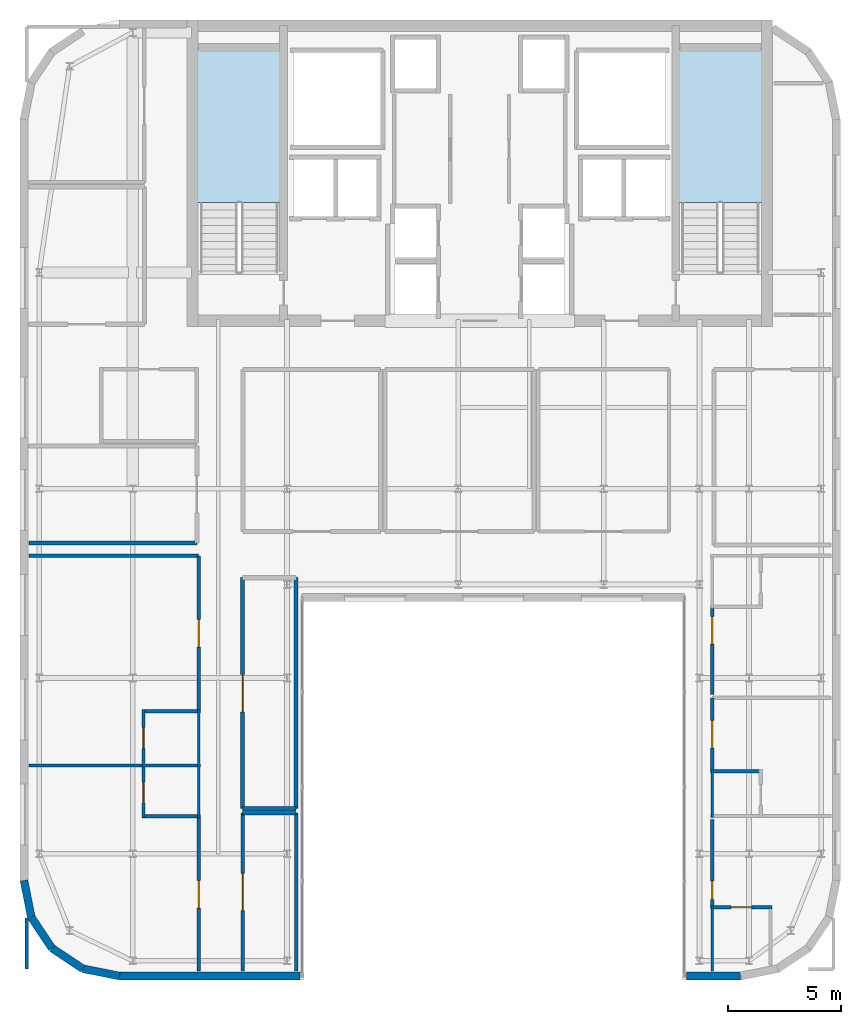
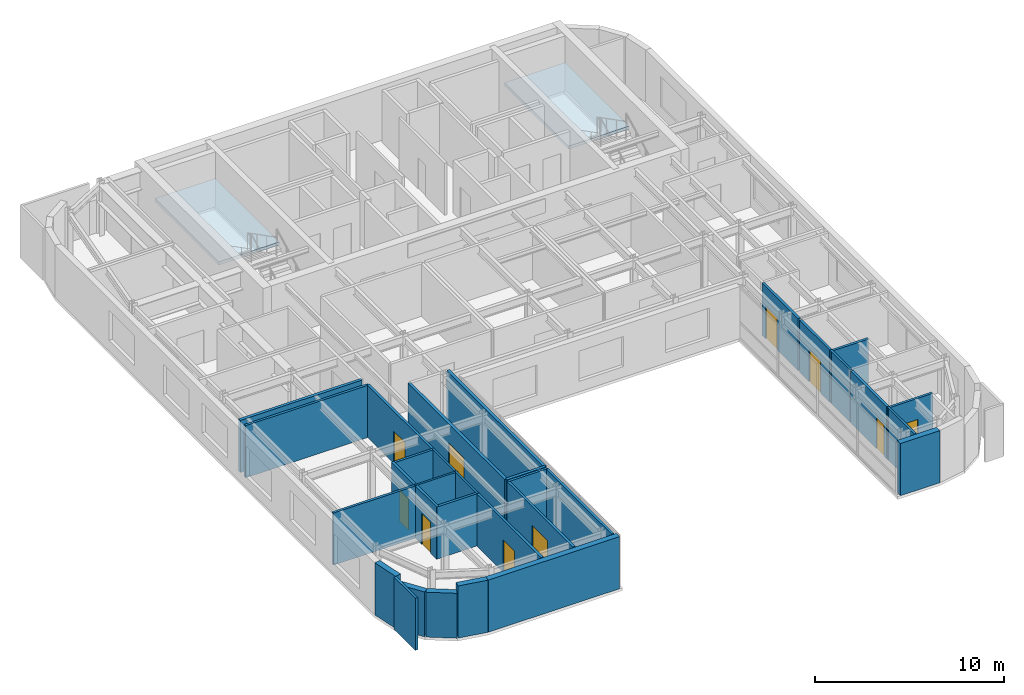
# One storey, part 13 of 18: 32 walls, 10 doors, 2 slabs, 10 openings, 2 elements without a shape of their own.
"""IFC4 building model written with IfcOpenShell, lengths in metres."""

from ifc_helpers import new_model, si_unit, direction, frame, frame_2d, origin, place, context, subcontext, project, spatial, polyline, rectangle, outline, extrude, source, transform, mapped, material, layer, layer_set, type_object, type_shapes, element, fill, aggregate, save


model = new_model("IFC4")

# Units and contexts
model_context = context("Model", 3, precision=1e-05, world=origin(), true_north=direction((0.0, 1.0)))
body_context = subcontext(model_context, "Body", "Model", "MODEL_VIEW")
ifc_project = project(units=[si_unit("LENGTHUNIT", "METRE"), si_unit("AREAUNIT", "SQUARE_METRE"), si_unit("VOLUMEUNIT", "CUBIC_METRE"), si_unit("PLANEANGLEUNIT", "RADIAN"), si_unit("MASSUNIT", "GRAM", prefix="KILO")], contexts=[model_context])

# Site, building, storey
site_placement = place(None, origin())
site = spatial("IfcSite", under=ifc_project, at=site_placement, CompositionType="ELEMENT")
building_placement = place(site_placement, origin())
building = spatial("IfcBuilding", under=site, at=building_placement, Name="Tolvann Quenvar Hotel", CompositionType="ELEMENT")
storey_placement = place(building_placement, frame((0.0, 0.0, 259.39990234375)))
storey = spatial("IfcBuildingStorey", under=building, at=storey_placement, Name="L69", CompositionType="ELEMENT", Elevation=259.39990234375)

# Stair, slab
ifc_material_1 = material(Name="Concrete N40 (40 MPa)", Category="concrete")
stair_type = type_object("IfcStairType", Name="STAIR", PredefinedType="HALF_TURN_STAIR", material=ifc_material_1)
stair_1_placement = place(storey_placement, origin())
stair_1 = element("IfcStair", 1, at=stair_1_placement, inside=storey, type_object=stair_type, Name="L69 ST-C1", PredefinedType="HALF_TURN_STAIR")
ifc_layer_1 = layer(ifc_material_1, 0.199951171875)
ifc_layer_set_1 = layer_set([ifc_layer_1], Name="Concrete N40 (40 MPa)")
slab_type = type_object("IfcSlabType", Name="SLAB_LANDING", PredefinedType="LANDING", material=ifc_layer_set_1)
slab_1_placement = place(storey_placement, frame((0.0, 0.0, 1.5751953125)))
slab_1 = element("IfcSlab", 2, at=slab_1_placement, type_object=slab_type, Name="ST-C1 landing 1", PredefinedType="LANDING", context=body_context, shape_type="SweptSolid", body=[
    extrude(outline(polyline([(14.179931640625, 37.10498046875), (14.179931640625, 43.8798828125), (10.469970703125, 43.8798828125), (10.469970703125, 37.10498046875), (14.179931640625, 37.10498046875)])), origin(), (0.0, 0.0, 1.0), 0.199951171875),
])
aggregate(stair_1, [slab_1])

stair_2_placement = place(storey_placement, origin())
stair_2 = element("IfcStair", 3, at=stair_2_placement, inside=storey, type_object=stair_type, Name="L69 ST-C2", PredefinedType="HALF_TURN_STAIR")
slab_2_placement = place(storey_placement, frame((0.0, 0.0, 1.5751953125)))
slab_2 = element("IfcSlab", 4, at=slab_2_placement, type_object=slab_type, Name="ST-C2 landing 1", PredefinedType="LANDING", context=body_context, shape_type="SweptSolid", body=[
    extrude(outline(polyline([(35.530029296875, 37.10498046875), (35.530029296875, 43.8798828125), (31.820068359375, 43.8798828125), (31.820068359375, 37.10498046875), (35.530029296875, 37.10498046875)])), origin(), (0.0, 0.0, 1.0), 0.199951171875),
])
aggregate(stair_2, [slab_2])

# Walls
ifc_material_2 = material(Name="Kiln-fired red and buff architectural clay brickwork and terracotta masonry", Category="masonry")
ifc_layer_2 = layer(ifc_material_2, 0.35009765625)
ifc_layer_set_2 = layer_set([ifc_layer_2], Name="Kiln-fired red and buff architectural clay brickwork and terracotta masonry")
wall_type_1 = type_object("IfcWallType", Name="WALL_EXT_BRICK_350", PredefinedType="SOLIDWALL", material=ifc_layer_set_2)
for number, where, z_axis, x_axis, name in (
    (5, (3.099609375, 5.384521484375, 0.0), (0.0, 0.0, 1.0), (0.555623290322, -0.831434158098, 0.0), "Exterior Chicago Brick Wall L69-E01"),
    (6, (4.014892578125, 4.014892578125, 0.0), (0.0, 0.0, 1.0), (0.831434158098, -0.555623290322, 0.0), "Exterior Chicago Brick Wall L69-E02"),
):
    element("IfcWall", number, at=place(storey_placement, frame(where, z_axis=z_axis, x_axis=x_axis)), inside=storey, type_object=wall_type_1, Name=name, PredefinedType="SOLIDWALL", context=body_context, shape_type="SweptSolid", body=[
        extrude(rectangle(XDim=1.647216796875, YDim=0.35009765625, at=frame_2d((0.82373046875, 0.0))), origin(), (0.0, 0.0, 1.0), 2.900146484375),
    ])
wall_1_placement = place(storey_placement, frame((5.384521484375, 3.099609375, 0.0), z_axis=(0.0, 0.0, 1.0), x_axis=(0.980788844421, -0.195072403631, 0.0)))
element("IfcWall", 7, at=wall_1_placement, inside=storey, type_object=wall_type_1, Name="Exterior Chicago Brick Wall L69-E03", PredefinedType="SOLIDWALL", context=body_context, shape_type="SweptSolid", body=[
    extrude(rectangle(XDim=1.66455078125, YDim=0.35009765625, at=frame_2d((0.832275390625, 0.0))), origin(), (0.0, 0.0, 1.0), 3.3701171875),
])
wall_2_placement = place(storey_placement, frame((7.01708984375, 2.77490234375, 0.0), z_axis=(0.0, 0.0, 1.0), x_axis=(1.0, 0.0, 0.0)))
element("IfcWall", 8, at=wall_2_placement, inside=storey, type_object=wall_type_1, Name="Exterior Chicago Brick Wall L69-E04", PredefinedType="SOLIDWALL", context=body_context, shape_type="SweptSolid", body=[
    extrude(rectangle(XDim=8.0078125, YDim=0.35009765625, at=frame_2d((4.00390625, 0.0))), origin(), (0.0, 0.0, 1.0), 3.3701171875),
])
wall_3_placement = place(storey_placement, frame((32.175048828125, 2.77490234375, 0.0), z_axis=(0.0, 0.0, 1.0), x_axis=(1.0, 0.0, 0.0)))
element("IfcWall", 9, at=wall_3_placement, inside=storey, type_object=wall_type_1, Name="Exterior Chicago Brick Wall L69-E08", PredefinedType="SOLIDWALL", context=body_context, shape_type="SweptSolid", body=[
    extrude(rectangle(XDim=2.40771484375, YDim=0.35009765625, at=frame_2d((1.203857421875, 0.0))), origin(), (0.0, 0.0, 1.0), 3.3701171875),
])
wall_4_placement = place(storey_placement, frame((2.77490234375, 7.01708984375, 0.0), z_axis=(0.0, 0.0, 1.0), x_axis=(0.195072403631, -0.980788844421, 0.0)))
element("IfcWall", 10, at=wall_4_placement, inside=storey, type_object=wall_type_1, Name="Exterior Chicago Brick Wall L69-E24", PredefinedType="SOLIDWALL", context=body_context, shape_type="SweptSolid", body=[
    extrude(rectangle(XDim=1.66455078125, YDim=0.35009765625, at=frame_2d((0.832275390625, 0.0))), origin(), (0.0, 0.0, 1.0), 3.3701171875),
])
ifc_material_3 = material(Name="Acoustic twin-stud fire-rated gypsum plasterboard partition")
ifc_layer_3 = layer(ifc_material_3, 0.179931640625)
ifc_layer_set_3 = layer_set([ifc_layer_3], Name="Acoustic twin-stud fire-rated gypsum plasterboard partition")
wall_type_2 = type_object("IfcWallType", Name="WALL_PART_ACOUSTIC_180", PredefinedType="PARTITIONING", material=ifc_layer_set_3)
wall_5_placement = place(storey_placement, frame((12.47998046875, 10.199951171875, 0.0), z_axis=(0.0, 0.0, 1.0), x_axis=(1.0, 0.0, 0.0)))
element("IfcWall", 11, at=wall_5_placement, inside=storey, type_object=wall_type_2, Name="Interior Partition PT-SPC-L69-POVL-S", PredefinedType="PARTITIONING", context=body_context, shape_type="SweptSolid", body=[
    extrude(rectangle(XDim=2.3701171875, YDim=0.179931640625, at=frame_2d((1.18505859375, 0.0))), origin(), (0.0, 0.0, 1.0), 3.3701171875),
])

# Wall, opening, door
wall_6_placement = place(storey_placement, frame((12.47998046875, 10.199951171875, 0.0), z_axis=(0.0, 0.0, 1.0), x_axis=(0.0, 1.0, 0.0)))
wall_6 = element("IfcWall", 12, at=wall_6_placement, inside=storey, type_object=wall_type_2, Name="Interior Partition PT-SPC-L69-POVL-W", PredefinedType="PARTITIONING", context=body_context, shape_type="SweptSolid", body=[
    extrude(rectangle(XDim=10.25, YDim=0.179931640625, at=frame_2d((5.125, 0.0))), origin(), (0.0, 0.0, 1.0), 3.3701171875),
])
opening_1_placement = place(wall_6_placement, frame((4.300048828125, 0.0, 0.0)))
opening_1 = element("IfcOpeningElement", 13, at=opening_1_placement, cuts=wall_6, Name="Opening AD-01", PredefinedType="OPENING", context=body_context, shape_type="SweptSolid", body=[
    extrude(rectangle(XDim=1.64990234375, YDim=2.14990234375, at=frame_2d((0.824951171875, 1.074951171875))), frame((0.0, 0.10009765625, 0.0), z_axis=(0.0, -1.0, 0.0), x_axis=(1.0, 0.0, 0.0)), (0.0, 0.0, 1.0), 0.199951171875),
])
ifc_material_4 = material(Name="Solid-core American oak acoustic fire door leaf in steel frame", Category="steel")
door_type_1 = type_object("IfcDoorType", Name="DOOR_SALON_1650", OperationType="NOTDEFINED", PredefinedType="DOOR", material=ifc_material_4)
shared_shape_1 = source(origin(), body_context, "Body", "SweptSolid", [
    extrude(rectangle(XDim=1.64990234375, YDim=2.14990234375, at=frame_2d((0.824951171875, 1.074951171875))), frame((0.0, 0.02490234375, 0.0), z_axis=(0.0, -1.0, 0.0), x_axis=(1.0, 0.0, 0.0)), (0.0, 0.0, 1.0), 0.050048828125),
])
type_shapes(door_type_1, [shared_shape_1])
door_1_placement = place(opening_1_placement, origin())
door_1 = element("IfcDoor", 14, at=door_1_placement, inside=storey, type_object=door_type_1, Name="Interior Door DOOR-SPC-L69-POVL", OperationType="DOUBLE_DOOR_SINGLE_SWING", OverallHeight=2.14990234375, OverallWidth=1.64990234375, PredefinedType="DOOR", context=body_context, shape_type="MappedRepresentation", body=[
    mapped(shared_shape_1, transform((0.0, 0.0, 0.0), x_axis=(1.0, 0.0, 0.0), y_axis=(0.0, 1.0, 0.0), z_axis=(0.0, 0.0, 1.0), scale=1.0)),
])
fill(opening_1, door_1)

# Walls
wall_7_placement = place(storey_placement, frame((14.85009765625, 10.199951171875, 0.0), z_axis=(0.0, 0.0, 1.0), x_axis=(0.0, 1.0, 0.0)))
element("IfcWall", 15, at=wall_7_placement, inside=storey, type_object=wall_type_2, Name="Interior Partition PT-SPC-L69-POVL-E", PredefinedType="PARTITIONING", context=body_context, shape_type="SweptSolid", body=[
    extrude(rectangle(XDim=10.25, YDim=0.179931640625, at=frame_2d((5.125, 0.0))), origin(), (0.0, 0.0, 1.0), 3.3701171875),
])
wall_8_placement = place(storey_placement, frame((3.0048828125, 22.0, 0.0), z_axis=(0.0, 0.0, 1.0), x_axis=(1.0, 0.0, 0.0)))
element("IfcWall", 16, at=wall_8_placement, inside=storey, type_object=wall_type_2, Name="Interior Partition PT-SPC-L69-WCLNG-S", PredefinedType="PARTITIONING", context=body_context, shape_type="SweptSolid", body=[
    extrude(rectangle(XDim=7.445068359375, YDim=0.179931640625, at=frame_2d((3.72265625, 0.0))), origin(), (0.0, 0.0, 1.0), 3.3701171875),
])
ifc_material_5 = material(Name="Moisture-resistant acoustic plumbing wall assembly")
ifc_layer_4 = layer(ifc_material_5, 0.1201171875)
ifc_layer_set_4 = layer_set([ifc_layer_4], Name="Moisture-resistant acoustic plumbing wall assembly")
wall_type_3 = type_object("IfcWallType", Name="WALL_PART_BATH_120", PredefinedType="PLUMBINGWALL", material=ifc_layer_set_4)
wall_9_placement = place(storey_placement, frame((8.010009765625, 12.1201171875, 0.0), z_axis=(0.0, 0.0, 1.0), x_axis=(1.0, 0.0, 0.0)))
element("IfcWall", 17, at=wall_9_placement, inside=storey, type_object=wall_type_3, Name="Non-Rated Plumbing Partition PT-SPC-L69-ENS-PW01-N", PredefinedType="PLUMBINGWALL", context=body_context, shape_type="SweptSolid", body=[
    extrude(rectangle(XDim=2.590087890625, YDim=0.1201171875, at=frame_2d((1.294921875, 0.0))), origin(), (0.0, 0.0, 1.0), 3.3701171875),
])
wall_10_placement = place(storey_placement, frame((10.530029296875, 9.800048828125, 0.0), z_axis=(0.0, 0.0, 1.0), x_axis=(0.0, 1.0, 0.0)))
element("IfcWall", 18, at=wall_10_placement, inside=storey, type_object=wall_type_3, Name="Non-Rated Plumbing Partition PT-SPC-L69-ENS-PW01-E", PredefinedType="PLUMBINGWALL", context=body_context, shape_type="SweptSolid", body=[
    extrude(rectangle(XDim=2.389892578125, YDim=0.1201171875, at=frame_2d((1.19482421875, 0.0))), origin(), (0.0, 0.0, 1.0), 3.3701171875),
])
wall_11_placement = place(storey_placement, frame((10.530029296875, 12.2099609375, 0.0), z_axis=(0.0, 0.0, 1.0), x_axis=(0.0, 1.0, 0.0)))
element("IfcWall", 19, at=wall_11_placement, inside=storey, type_object=wall_type_3, Name="Non-Rated Plumbing Partition PT-SPC-L69-ENS-PW02-E", PredefinedType="PLUMBINGWALL", context=body_context, shape_type="SweptSolid", body=[
    extrude(rectangle(XDim=2.39013671875, YDim=0.1201171875, at=frame_2d((1.195068359375, 0.0))), origin(), (0.0, 0.0, 1.0), 3.3701171875),
])
wall_12_placement = place(storey_placement, frame((33.320068359375, 3.0048828125, 0.0), z_axis=(0.0, 0.0, 1.0), x_axis=(0.0, 1.0, 0.0)))
element("IfcWall", 20, at=wall_12_placement, inside=storey, type_object=wall_type_3, Name="Non-Rated Plumbing Partition PT-SPC-L69-ENS-PE01-W", PredefinedType="PLUMBINGWALL", context=body_context, shape_type="SweptSolid", body=[
    extrude(rectangle(XDim=2.89501953125, YDim=0.1201171875, at=frame_2d((1.447509765625, 0.0))), origin(), (0.0, 0.0, 1.0), 3.3701171875),
])
wall_13_placement = place(storey_placement, frame((33.320068359375, 9.81005859375, 0.0), z_axis=(0.0, 0.0, 1.0), x_axis=(0.0, 1.0, 0.0)))
element("IfcWall", 21, at=wall_13_placement, inside=storey, type_object=wall_type_3, Name="Non-Rated Plumbing Partition PT-SPC-L69-ENS-PE02-W", PredefinedType="PLUMBINGWALL", context=body_context, shape_type="SweptSolid", body=[
    extrude(rectangle(XDim=2.130859375, YDim=0.1201171875, at=frame_2d((1.0654296875, 0.0))), origin(), (0.0, 0.0, 1.0), 3.3701171875),
])

# Wall, opening, door
ifc_layer_5 = layer(ifc_material_3, 0.14990234375)
ifc_layer_set_5 = layer_set([ifc_layer_5], Name="Acoustic twin-stud fire-rated gypsum plasterboard partition")
wall_type_4 = type_object("IfcWallType", Name="WALL_PART_SUITE_150", PredefinedType="PARTITIONING", material=ifc_layer_set_5)
wall_14_placement = place(storey_placement, frame((8.080078125, 9.800048828125, 0.0), z_axis=(0.0, 0.0, 1.0), x_axis=(0.0, 1.0, 0.0)))
wall_14 = element("IfcWall", 22, at=wall_14_placement, inside=storey, type_object=wall_type_4, Name="Interior Partition PT-SPC-L69-ENS-PW01-ENT", PredefinedType="PARTITIONING", context=body_context, shape_type="SweptSolid", body=[
    extrude(rectangle(XDim=2.389892578125, YDim=0.14990234375, at=frame_2d((1.19482421875, 0.0))), origin(), (0.0, 0.0, 1.0), 3.3701171875),
])
opening_2_placement = place(wall_14_placement, frame((0.6650390625, 0.0, 0.0)))
opening_2 = element("IfcOpeningElement", 23, at=opening_2_placement, cuts=wall_14, Name="Opening WD-01", PredefinedType="OPENING", context=body_context, shape_type="SweptSolid", body=[
    extrude(rectangle(XDim=0.919921875, YDim=2.010009765625, at=frame_2d((0.4599609375, 1.0048828125))), frame((0.0, 0.0849609375, 0.0), z_axis=(0.0, -1.0, 0.0), x_axis=(1.0, 0.0, 0.0)), (0.0, 0.0, 1.0), 0.169921875),
])
door_type_2 = type_object("IfcDoorType", Name="DOOR_WC_920", OperationType="NOTDEFINED", PredefinedType="DOOR", material=ifc_material_4)
shared_shape_2 = source(origin(), body_context, "Body", "SweptSolid", [
    extrude(rectangle(XDim=0.919921875, YDim=2.010009765625, at=frame_2d((0.4599609375, 1.0048828125))), frame((0.0, 0.02490234375, 0.0), z_axis=(0.0, -1.0, 0.0), x_axis=(1.0, 0.0, 0.0)), (0.0, 0.0, 1.0), 0.050048828125),
])
type_shapes(door_type_2, [shared_shape_2])
door_2_placement = place(opening_2_placement, origin())
door_2 = element("IfcDoor", 24, at=door_2_placement, inside=storey, type_object=door_type_2, Name="Interior Door DOOR-SPC-L69-ENS-PW01", OperationType="SINGLE_SWING_RIGHT", OverallHeight=2.010009765625, OverallWidth=0.919921875, PredefinedType="DOOR", context=body_context, shape_type="MappedRepresentation", body=[
    mapped(shared_shape_2, transform((0.0, 0.0, 0.0), x_axis=(1.0, 0.0, 0.0), y_axis=(0.0, 1.0, 0.0), z_axis=(0.0, 0.0, 1.0), scale=1.0)),
])
fill(opening_2, door_2)

# Wall
wall_15_placement = place(storey_placement, frame((8.010009765625, 9.8701171875, 0.0), z_axis=(0.0, 0.0, 1.0), x_axis=(1.0, 0.0, 0.0)))
element("IfcWall", 25, at=wall_15_placement, inside=storey, type_object=wall_type_4, Name="Interior Partition PT-SPC-L69-ENS-PW01-S", PredefinedType="PARTITIONING", context=body_context, shape_type="SweptSolid", body=[
    extrude(rectangle(XDim=2.590087890625, YDim=0.14990234375, at=frame_2d((1.294921875, 0.0))), origin(), (0.0, 0.0, 1.0), 3.3701171875),
])

# Wall, opening, door
wall_16_placement = place(storey_placement, frame((8.080078125, 12.2099609375, 0.0), z_axis=(0.0, 0.0, 1.0), x_axis=(0.0, 1.0, 0.0)))
wall_16 = element("IfcWall", 26, at=wall_16_placement, inside=storey, type_object=wall_type_4, Name="Interior Partition PT-SPC-L69-ENS-PW02-ENT", PredefinedType="PARTITIONING", context=body_context, shape_type="SweptSolid", body=[
    extrude(rectangle(XDim=2.39013671875, YDim=0.14990234375, at=frame_2d((1.195068359375, 0.0))), origin(), (0.0, 0.0, 1.0), 3.3701171875),
])
opening_3_placement = place(wall_16_placement, frame((0.6650390625, 0.0, 0.0)))
opening_3 = element("IfcOpeningElement", 27, at=opening_3_placement, cuts=wall_16, Name="Opening WD-01", PredefinedType="OPENING", context=body_context, shape_type="SweptSolid", body=[
    extrude(rectangle(XDim=0.919921875, YDim=2.010009765625, at=frame_2d((0.4599609375, 1.0048828125))), frame((0.0, 0.0849609375, 0.0), z_axis=(0.0, -1.0, 0.0), x_axis=(1.0, 0.0, 0.0)), (0.0, 0.0, 1.0), 0.169921875),
])
door_3_placement = place(opening_3_placement, origin())
door_3 = element("IfcDoor", 28, at=door_3_placement, inside=storey, type_object=door_type_2, Name="Interior Door DOOR-SPC-L69-ENS-PW02", OperationType="SINGLE_SWING_LEFT", OverallHeight=2.010009765625, OverallWidth=0.919921875, PredefinedType="DOOR", context=body_context, shape_type="MappedRepresentation", body=[
    mapped(shared_shape_2, transform((0.0, 0.0, 0.0), x_axis=(1.0, 0.0, 0.0), y_axis=(0.0, 1.0, 0.0), z_axis=(0.0, 0.0, 1.0), scale=1.0)),
])
fill(opening_3, door_3)

# Wall
wall_17_placement = place(storey_placement, frame((8.010009765625, 14.530029296875, 0.0), z_axis=(0.0, 0.0, 1.0), x_axis=(1.0, 0.0, 0.0)))
element("IfcWall", 29, at=wall_17_placement, inside=storey, type_object=wall_type_4, Name="Interior Partition PT-SPC-L69-ENS-PW02-N", PredefinedType="PARTITIONING", context=body_context, shape_type="SweptSolid", body=[
    extrude(rectangle(XDim=2.590087890625, YDim=0.14990234375, at=frame_2d((1.294921875, 0.0))), origin(), (0.0, 0.0, 1.0), 3.3701171875),
])

# Wall, opening, door
wall_18_placement = place(storey_placement, frame((33.25, 5.830078125, 0.0), z_axis=(0.0, 0.0, 1.0), x_axis=(1.0, 0.0, 0.0)))
wall_18 = element("IfcWall", 30, at=wall_18_placement, inside=storey, type_object=wall_type_4, Name="Interior Partition PT-SPC-L69-ENS-PE01-N", PredefinedType="PARTITIONING", context=body_context, shape_type="SweptSolid", body=[
    extrude(rectangle(XDim=2.721923828125, YDim=0.14990234375, at=frame_2d((1.36083984375, 0.0))), origin(), (0.0, 0.0, 1.0), 3.3701171875),
])
opening_4_placement = place(wall_18_placement, frame((0.90087890625, 0.0, 0.0)))
opening_4 = element("IfcOpeningElement", 31, at=opening_4_placement, cuts=wall_18, Name="Opening WD-01", PredefinedType="OPENING", context=body_context, shape_type="SweptSolid", body=[
    extrude(rectangle(XDim=0.919921875, YDim=2.010009765625, at=frame_2d((0.4599609375, 1.0048828125))), frame((0.0, 0.0849609375, 0.0), z_axis=(0.0, -1.0, 0.0), x_axis=(1.0, 0.0, 0.0)), (0.0, 0.0, 1.0), 0.169921875),
])
door_4_placement = place(opening_4_placement, origin())
door_4 = element("IfcDoor", 32, at=door_4_placement, inside=storey, type_object=door_type_2, Name="Interior Door DOOR-SPC-L69-ENS-PE01", OperationType="SINGLE_SWING_RIGHT", OverallHeight=2.010009765625, OverallWidth=0.919921875, PredefinedType="DOOR", context=body_context, shape_type="MappedRepresentation", body=[
    mapped(shared_shape_2, transform((0.0, 0.0, 0.0), x_axis=(1.0, 0.0, 0.0), y_axis=(0.0, 1.0, 0.0), z_axis=(0.0, 0.0, 1.0), scale=1.0)),
])
fill(opening_4, door_4)

# Wall
wall_19_placement = place(storey_placement, frame((33.25, 11.87109375, 0.0), z_axis=(0.0, 0.0, 1.0), x_axis=(1.0, 0.0, 0.0)))
element("IfcWall", 33, at=wall_19_placement, inside=storey, type_object=wall_type_4, Name="Interior Partition PT-SPC-L69-ENS-PE02-N", PredefinedType="PARTITIONING", context=body_context, shape_type="SweptSolid", body=[
    extrude(rectangle(XDim=2.2900390625, YDim=0.14990234375, at=frame_2d((1.14501953125, 0.0))), origin(), (0.0, 0.0, 1.0), 3.3701171875),
])

# Wall, opening, door
wall_20_placement = place(storey_placement, frame((10.530029296875, 3.0048828125, 0.0), z_axis=(0.0, 0.0, 1.0), x_axis=(0.0, 1.0, 0.0)))
wall_20 = element("IfcWall", 34, at=wall_20_placement, inside=storey, type_object=wall_type_4, Name="Interior Partition PT-SPC-L69-RM-PW01-ENT", PredefinedType="PARTITIONING", context=body_context, shape_type="SweptSolid", body=[
    extrude(rectangle(XDim=6.78515625, YDim=0.14990234375, at=frame_2d((3.392578125, 0.0))), origin(), (0.0, 0.0, 1.0), 3.3701171875),
])
opening_5_placement = place(wall_20_placement, frame((2.7900390625, 0.0, 0.0)))
opening_5 = element("IfcOpeningElement", 35, at=opening_5_placement, cuts=wall_20, Name="Opening SD-02", PredefinedType="OPENING", context=body_context, shape_type="SweptSolid", body=[
    extrude(rectangle(XDim=1.219970703125, YDim=2.080078125, at=frame_2d((0.60986328125, 1.0400390625))), frame((0.0, 0.0849609375, 0.0), z_axis=(0.0, -1.0, 0.0), x_axis=(1.0, 0.0, 0.0)), (0.0, 0.0, 1.0), 0.169921875),
])
door_type_3 = type_object("IfcDoorType", Name="DOOR_VIP_1220", OperationType="NOTDEFINED", PredefinedType="DOOR", material=ifc_material_4)
shared_shape_3 = source(origin(), body_context, "Body", "SweptSolid", [
    extrude(rectangle(XDim=1.219970703125, YDim=2.080078125, at=frame_2d((0.60986328125, 1.0400390625))), frame((0.0, 0.02490234375, 0.0), z_axis=(0.0, -1.0, 0.0), x_axis=(1.0, 0.0, 0.0)), (0.0, 0.0, 1.0), 0.050048828125),
])
type_shapes(door_type_3, [shared_shape_3])
door_5_placement = place(opening_5_placement, origin())
door_5 = element("IfcDoor", 36, at=door_5_placement, inside=storey, type_object=door_type_3, Name="Interior Door DOOR-SPC-L69-RM-PW01", OperationType="SINGLE_SWING_LEFT", OverallHeight=2.080078125, OverallWidth=1.219970703125, PredefinedType="DOOR", context=body_context, shape_type="MappedRepresentation", body=[
    mapped(shared_shape_3, transform((0.0, 0.0, 0.0), x_axis=(1.0, 0.0, 0.0), y_axis=(0.0, 1.0, 0.0), z_axis=(0.0, 0.0, 1.0), scale=1.0)),
])
fill(opening_5, door_5)

# Walls
wall_21_placement = place(storey_placement, frame((3.0048828125, 12.1201171875, 0.0), z_axis=(0.0, 0.0, 1.0), x_axis=(1.0, 0.0, 0.0)))
element("IfcWall", 37, at=wall_21_placement, inside=storey, type_object=wall_type_4, Name="Interior Partition PT-SPC-L69-RM-PW01-E5", PredefinedType="PARTITIONING", context=body_context, shape_type="SweptSolid", body=[
    extrude(rectangle(XDim=5.05517578125, YDim=0.14990234375, at=frame_2d((2.527587890625, 0.0))), origin(), (0.0, 0.0, 1.0), 3.3701171875),
])
wall_22_placement = place(storey_placement, frame((2.89990234375, 3.080078125, 0.0), z_axis=(0.0, 0.0, 1.0), x_axis=(0.0, 1.0, 0.0)))
element("IfcWall", 38, at=wall_22_placement, inside=storey, type_object=wall_type_4, Name="Interior Partition PT-SPC-L69-RM-PW01-E6", PredefinedType="PARTITIONING", context=body_context, shape_type="SweptSolid", body=[
    extrude(rectangle(XDim=2.264892578125, YDim=0.14990234375, at=frame_2d((1.13232421875, 0.0))), origin(), (0.0, 0.0, 1.0), 3.3701171875),
])

# Wall, opening, door
wall_23_placement = place(storey_placement, frame((10.530029296875, 14.610107421875, 0.0), z_axis=(0.0, 0.0, 1.0), x_axis=(0.0, 1.0, 0.0)))
wall_23 = element("IfcWall", 39, at=wall_23_placement, inside=storey, type_object=wall_type_4, Name="Interior Partition PT-SPC-L69-RM-PW02-ENT", PredefinedType="PARTITIONING", context=body_context, shape_type="SweptSolid", body=[
    extrude(rectangle(XDim=6.809814453125, YDim=0.14990234375, at=frame_2d((3.40478515625, 0.0))), origin(), (0.0, 0.0, 1.0), 3.3701171875),
])
opening_6_placement = place(wall_23_placement, frame((2.77490234375, 0.0, 0.0)))
opening_6 = element("IfcOpeningElement", 40, at=opening_6_placement, cuts=wall_23, Name="Opening SD-02", PredefinedType="OPENING", context=body_context, shape_type="SweptSolid", body=[
    extrude(rectangle(XDim=1.219970703125, YDim=2.080078125, at=frame_2d((0.60986328125, 1.0400390625))), frame((0.0, 0.0849609375, 0.0), z_axis=(0.0, -1.0, 0.0), x_axis=(1.0, 0.0, 0.0)), (0.0, 0.0, 1.0), 0.169921875),
])
door_6_placement = place(opening_6_placement, origin())
door_6 = element("IfcDoor", 41, at=door_6_placement, inside=storey, type_object=door_type_3, Name="Interior Door DOOR-SPC-L69-RM-PW02", OperationType="SINGLE_SWING_RIGHT", OverallHeight=2.080078125, OverallWidth=1.219970703125, PredefinedType="DOOR", context=body_context, shape_type="MappedRepresentation", body=[
    mapped(shared_shape_3, transform((0.0, 0.0, 0.0), x_axis=(1.0, 0.0, 0.0), y_axis=(0.0, 1.0, 0.0), z_axis=(0.0, 0.0, 1.0), scale=1.0)),
])
fill(opening_6, door_6)

# Wall
wall_24_placement = place(storey_placement, frame((3.0048828125, 21.419921875, 0.0), z_axis=(0.0, 0.0, 1.0), x_axis=(1.0, 0.0, 0.0)))
element("IfcWall", 42, at=wall_24_placement, inside=storey, type_object=wall_type_4, Name="Interior Partition PT-SPC-L69-RM-PW02-E5", PredefinedType="PARTITIONING", context=body_context, shape_type="SweptSolid", body=[
    extrude(rectangle(XDim=7.525146484375, YDim=0.14990234375, at=frame_2d((3.7626953125, 0.0))), origin(), (0.0, 0.0, 1.0), 3.3701171875),
])

# Wall, opening, door
wall_25_placement = place(storey_placement, frame((33.320068359375, 5.909912109375, 0.0), z_axis=(0.0, 0.0, 1.0), x_axis=(0.0, 1.0, 0.0)))
wall_25 = element("IfcWall", 43, at=wall_25_placement, inside=storey, type_object=wall_type_4, Name="Interior Partition PT-SPC-L69-RM-PE01-ENT", PredefinedType="PARTITIONING", context=body_context, shape_type="SweptSolid", body=[
    extrude(rectangle(XDim=3.81005859375, YDim=0.14990234375, at=frame_2d((1.905029296875, 0.0))), origin(), (0.0, 0.0, 1.0), 3.3701171875),
])
opening_7_placement = place(wall_25_placement, frame((0.27001953125, 0.0, 0.0)))
opening_7 = element("IfcOpeningElement", 44, at=opening_7_placement, cuts=wall_25, Name="Opening HD-02", PredefinedType="OPENING", context=body_context, shape_type="SweptSolid", body=[
    extrude(rectangle(XDim=0.820068359375, YDim=2.010009765625, at=frame_2d((0.41015625, 1.0048828125))), frame((0.0, 0.0849609375, 0.0), z_axis=(0.0, -1.0, 0.0), x_axis=(1.0, 0.0, 0.0)), (0.0, 0.0, 1.0), 0.169921875),
])
ifc_material_6 = material(Name="Pressed galvanised steel fire-rated door set", Category="steel")
door_type_4 = type_object("IfcDoorType", Name="DOOR_STORE_820", OperationType="NOTDEFINED", PredefinedType="DOOR", material=ifc_material_6)
shared_shape_4 = source(origin(), body_context, "Body", "SweptSolid", [
    extrude(rectangle(XDim=0.820068359375, YDim=2.010009765625, at=frame_2d((0.41015625, 1.0048828125))), frame((0.0, 0.02490234375, 0.0), z_axis=(0.0, -1.0, 0.0), x_axis=(1.0, 0.0, 0.0)), (0.0, 0.0, 1.0), 0.050048828125),
])
type_shapes(door_type_4, [shared_shape_4])
door_7_placement = place(opening_7_placement, origin())
door_7 = element("IfcDoor", 45, at=door_7_placement, inside=storey, type_object=door_type_4, Name="Interior Door DOOR-SPC-L69-RM-PE01", OperationType="SINGLE_SWING_LEFT", OverallHeight=2.010009765625, OverallWidth=0.820068359375, PredefinedType="DOOR", context=body_context, shape_type="MappedRepresentation", body=[
    mapped(shared_shape_4, transform((0.0, 0.0, 0.0), x_axis=(1.0, 0.0, 0.0), y_axis=(0.0, 1.0, 0.0), z_axis=(0.0, 0.0, 1.0), scale=1.0)),
])
fill(opening_7, door_7)

wall_26_placement = place(storey_placement, frame((33.320068359375, 11.950927734375, 0.0), z_axis=(0.0, 0.0, 1.0), x_axis=(0.0, 1.0, 0.0)))
wall_26 = element("IfcWall", 46, at=wall_26_placement, inside=storey, type_object=wall_type_4, Name="Interior Partition PT-SPC-L69-RM-PE02-ENT", PredefinedType="PARTITIONING", context=body_context, shape_type="SweptSolid", body=[
    extrude(rectangle(XDim=3.169189453125, YDim=0.14990234375, at=frame_2d((1.58447265625, 0.0))), origin(), (0.0, 0.0, 1.0), 3.3701171875),
])
opening_8_placement = place(wall_26_placement, frame((0.95458984375, 0.0, 0.0)))
opening_8 = element("IfcOpeningElement", 47, at=opening_8_placement, cuts=wall_26, Name="Opening SD-02", PredefinedType="OPENING", context=body_context, shape_type="SweptSolid", body=[
    extrude(rectangle(XDim=1.219970703125, YDim=2.080078125, at=frame_2d((0.60986328125, 1.0400390625))), frame((0.0, 0.0849609375, 0.0), z_axis=(0.0, -1.0, 0.0), x_axis=(1.0, 0.0, 0.0)), (0.0, 0.0, 1.0), 0.169921875),
])
door_8_placement = place(opening_8_placement, origin())
door_8 = element("IfcDoor", 48, at=door_8_placement, inside=storey, type_object=door_type_3, Name="Interior Door DOOR-SPC-L69-RM-PE02", OperationType="SINGLE_SWING_RIGHT", OverallHeight=2.080078125, OverallWidth=1.219970703125, PredefinedType="DOOR", context=body_context, shape_type="MappedRepresentation", body=[
    mapped(shared_shape_3, transform((0.0, 0.0, 0.0), x_axis=(1.0, 0.0, 0.0), y_axis=(0.0, 1.0, 0.0), z_axis=(0.0, 0.0, 1.0), scale=1.0)),
])
fill(opening_8, door_8)

wall_27_placement = place(storey_placement, frame((33.320068359375, 15.280029296875, 0.0), z_axis=(0.0, 0.0, 1.0), x_axis=(0.0, 1.0, 0.0)))
wall_27 = element("IfcWall", 49, at=wall_27_placement, inside=storey, type_object=wall_type_4, Name="Interior Partition PT-SPC-L69-RM-PE03-ENT", PredefinedType="PARTITIONING", context=body_context, shape_type="SweptSolid", body=[
    extrude(rectangle(XDim=3.81005859375, YDim=0.14990234375, at=frame_2d((1.905029296875, 0.0))), origin(), (0.0, 0.0, 1.0), 3.3701171875),
])
opening_9_placement = place(wall_27_placement, frame((2.22509765625, 0.0, 0.0)))
opening_9 = element("IfcOpeningElement", 50, at=opening_9_placement, cuts=wall_27, Name="Opening SD-02", PredefinedType="OPENING", context=body_context, shape_type="SweptSolid", body=[
    extrude(rectangle(XDim=1.219970703125, YDim=2.080078125, at=frame_2d((0.60986328125, 1.0400390625))), frame((0.0, 0.0849609375, 0.0), z_axis=(0.0, -1.0, 0.0), x_axis=(1.0, 0.0, 0.0)), (0.0, 0.0, 1.0), 0.169921875),
])
door_9_placement = place(opening_9_placement, origin())
door_9 = element("IfcDoor", 51, at=door_9_placement, inside=storey, type_object=door_type_3, Name="Interior Door DOOR-SPC-L69-RM-PE03", OperationType="SINGLE_SWING_LEFT", OverallHeight=2.080078125, OverallWidth=1.219970703125, PredefinedType="DOOR", context=body_context, shape_type="MappedRepresentation", body=[
    mapped(shared_shape_3, transform((0.0, 0.0, 0.0), x_axis=(1.0, 0.0, 0.0), y_axis=(0.0, 1.0, 0.0), z_axis=(0.0, 0.0, 1.0), scale=1.0)),
])
fill(opening_9, door_9)

# Wall
wall_28_placement = place(storey_placement, frame((12.47998046875, 10.0, 0.0), z_axis=(0.0, 0.0, 1.0), x_axis=(1.0, 0.0, 0.0)))
element("IfcWall", 52, at=wall_28_placement, inside=storey, type_object=wall_type_4, Name="Interior Partition PT-SPC-L69-PSOUTH-N", PredefinedType="PARTITIONING", context=body_context, shape_type="SweptSolid", body=[
    extrude(rectangle(XDim=2.3701171875, YDim=0.14990234375, at=frame_2d((1.18505859375, 0.0))), origin(), (0.0, 0.0, 1.0), 3.3701171875),
])

# Wall, opening, door
wall_29_placement = place(storey_placement, frame((12.47998046875, 3.0048828125, 0.0), z_axis=(0.0, 0.0, 1.0), x_axis=(0.0, 1.0, 0.0)))
wall_29 = element("IfcWall", 53, at=wall_29_placement, inside=storey, type_object=wall_type_4, Name="Interior Partition PT-SPC-L69-PSOUTH-W", PredefinedType="PARTITIONING", context=body_context, shape_type="SweptSolid", body=[
    extrude(rectangle(XDim=6.9951171875, YDim=0.14990234375, at=frame_2d((3.49755859375, 0.0))), origin(), (0.0, 0.0, 1.0), 3.3701171875),
])
opening_10_placement = place(wall_29_placement, frame((2.672607421875, 0.0, 0.0)))
opening_10 = element("IfcOpeningElement", 54, at=opening_10_placement, cuts=wall_29, Name="Opening AD-01", PredefinedType="OPENING", context=body_context, shape_type="SweptSolid", body=[
    extrude(rectangle(XDim=1.64990234375, YDim=2.14990234375, at=frame_2d((0.824951171875, 1.074951171875))), frame((0.0, 0.0849609375, 0.0), z_axis=(0.0, -1.0, 0.0), x_axis=(1.0, 0.0, 0.0)), (0.0, 0.0, 1.0), 0.169921875),
])
door_10_placement = place(opening_10_placement, origin())
door_10 = element("IfcDoor", 55, at=door_10_placement, inside=storey, type_object=door_type_1, Name="Interior Door DOOR-SPC-L69-PSOUTH", OperationType="DOUBLE_DOOR_SINGLE_SWING", OverallHeight=2.14990234375, OverallWidth=1.64990234375, PredefinedType="DOOR", context=body_context, shape_type="MappedRepresentation", body=[
    mapped(shared_shape_1, transform((0.0, 0.0, 0.0), x_axis=(1.0, 0.0, 0.0), y_axis=(0.0, 1.0, 0.0), z_axis=(0.0, 0.0, 1.0), scale=1.0)),
])
fill(opening_10, door_10)

# Wall
wall_30_placement = place(storey_placement, frame((14.85009765625, 3.0048828125, 0.0), z_axis=(0.0, 0.0, 1.0), x_axis=(0.0, 1.0, 0.0)))
element("IfcWall", 56, at=wall_30_placement, inside=storey, type_object=wall_type_4, Name="Interior Partition PT-SPC-L69-PSOUTH-E", PredefinedType="PARTITIONING", context=body_context, shape_type="SweptSolid", body=[
    extrude(rectangle(XDim=6.9951171875, YDim=0.14990234375, at=frame_2d((3.49755859375, 0.0))), origin(), (0.0, 0.0, 1.0), 3.3701171875),
])

save(model, "model.ifc")
